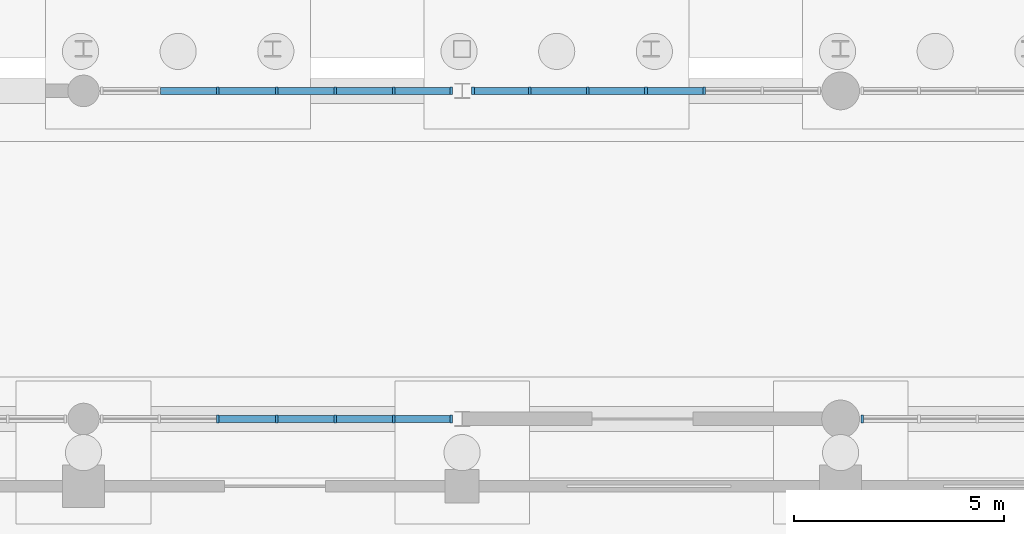
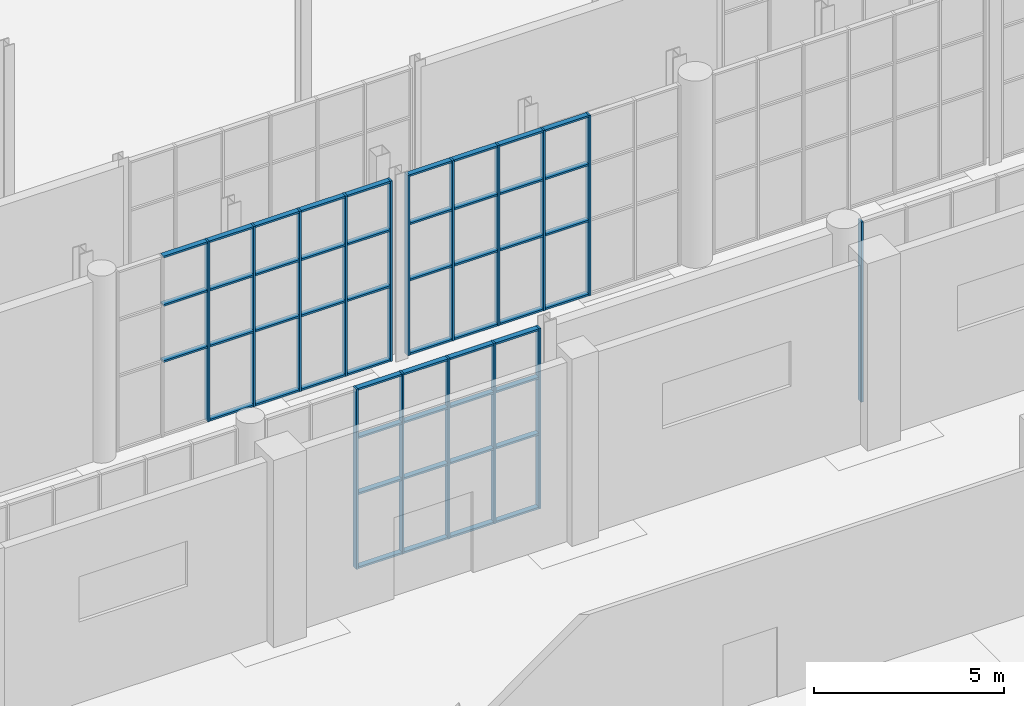
# One storey, part 48 of 131: 67 members, 4 elements without a shape of their own.
"""IFC4 building model written with IfcOpenShell, lengths in metres."""

from ifc_helpers import new_model, si_unit, direction, frame, origin, origin_2d, place, context, subcontext, project, spatial, rectangle, extrude, material, layer, layer_set, material_profile, profile_set, type_object, element, aggregate, save


model = new_model("IFC4")

# Units and contexts
model_context = context("Model", 3, precision=1e-05, world=origin(), true_north=direction((0.0, 1.0)))
body_context = subcontext(model_context, "Body", "Model", "MODEL_VIEW")
ifc_project = project(units=[si_unit("LENGTHUNIT", "METRE"), si_unit("AREAUNIT", "SQUARE_METRE"), si_unit("VOLUMEUNIT", "CUBIC_METRE"), si_unit("PLANEANGLEUNIT", "RADIAN"), si_unit("MASSUNIT", "GRAM", prefix="KILO")], contexts=[model_context])

# Site, building, storey
site_placement = place(None, origin())
site = spatial("IfcSite", under=ifc_project, at=site_placement, CompositionType="ELEMENT")
building_placement = place(site_placement, origin())
building = spatial("IfcBuilding", under=site, at=building_placement, Name="Cazmaro Siding Exhibition Halls", CompositionType="ELEMENT")
storey_placement = place(building_placement, origin())
storey = spatial("IfcBuildingStorey", under=building, at=storey_placement, Name="L00", CompositionType="ELEMENT", Elevation=0.0)

# Curtain wall, members
ifc_material_1 = material(Name="Anodized Bronze Aluminum and Solar-Control Low-E Glazing", Category="aluminium")
ifc_layer = layer(ifc_material_1, 0.179931640625)
ifc_layer_set = layer_set([ifc_layer], Name="Anodized Bronze Aluminum and Solar-Control Low-E Glazing")
curtain_wall_type = type_object("IfcCurtainWallType", Name="CWS-01", PredefinedType="USERDEFINED", material=ifc_layer_set)
curtain_wall_1_placement = place(storey_placement, origin())
curtain_wall_1 = element("IfcCurtainWall", 1, at=curtain_wall_1_placement, inside=storey, type_object=curtain_wall_type, Name="Glazed Curtain Wall CWS-01 CW-179", ObjectType="GLAZED CURTAIN WALL", PredefinedType="USERDEFINED")
ifc_material_2 = material(Name="Anodized Bronze Extruded Aluminum", Category="aluminium")
ifc_material_profile_1 = material_profile(ifc_material_2, rectangle(XDim=0.179931640625, YDim=0.06005859375, at=origin_2d()), Name="CWM-01")
ifc_profile_set_1 = profile_set([ifc_material_profile_1], Name="Anodized Bronze Extruded Aluminum")
member_type_1 = type_object("IfcMemberType", Name="CWM-01", PredefinedType="MULLION", material=ifc_profile_set_1)
member_1_placement = place(storey_placement, frame((111.1953125, 55.199951171875, 0.0), z_axis=(0.0, 0.0, 1.0), x_axis=(0.0, 1.0, 0.0)))
member_1 = element("IfcMember", 2, at=member_1_placement, type_object=member_type_1, Name="CWS-01 mullion 3", PredefinedType="MULLION", context=body_context, shape_type="SweptSolid", body=[
    extrude(rectangle(XDim=0.179931640625, YDim=0.06005859375, at=origin_2d()), origin(), (0.0, 0.0, 1.0), 5.780029296875),
])
member_2_placement = place(storey_placement, frame((112.589111328125, 55.199951171875, 0.0), z_axis=(0.0, 0.0, 1.0), x_axis=(0.0, 1.0, 0.0)))
member_2 = element("IfcMember", 3, at=member_2_placement, type_object=member_type_1, Name="CWS-01 mullion 4", PredefinedType="MULLION", context=body_context, shape_type="SweptSolid", body=[
    extrude(rectangle(XDim=0.179931640625, YDim=0.06005859375, at=origin_2d()), origin(), (0.0, 0.0, 1.0), 5.780029296875),
])
member_3_placement = place(storey_placement, frame((113.982666015625, 55.199951171875, 0.0), z_axis=(0.0, 0.0, 1.0), x_axis=(0.0, 1.0, 0.0)))
member_3 = element("IfcMember", 4, at=member_3_placement, type_object=member_type_1, Name="CWS-01 mullion 5", PredefinedType="MULLION", context=body_context, shape_type="SweptSolid", body=[
    extrude(rectangle(XDim=0.179931640625, YDim=0.06005859375, at=origin_2d()), origin(), (0.0, 0.0, 1.0), 5.780029296875),
])
member_4_placement = place(storey_placement, frame((115.376220703125, 55.199951171875, 0.0), z_axis=(0.0, 0.0, 1.0), x_axis=(0.0, 1.0, 0.0)))
member_4 = element("IfcMember", 5, at=member_4_placement, type_object=member_type_1, Name="CWS-01 mullion 6", PredefinedType="MULLION", context=body_context, shape_type="SweptSolid", body=[
    extrude(rectangle(XDim=0.179931640625, YDim=0.06005859375, at=origin_2d()), origin(), (0.0, 0.0, 1.0), 5.780029296875),
])
member_5_placement = place(storey_placement, frame((116.739990234375, 55.199951171875, 0.0), z_axis=(0.0, 0.0, 1.0), x_axis=(0.0, 1.0, 0.0)))
member_5 = element("IfcMember", 6, at=member_5_placement, type_object=member_type_1, Name="CWS-01 mullion 7", PredefinedType="MULLION", context=body_context, shape_type="SweptSolid", body=[
    extrude(rectangle(XDim=0.179931640625, YDim=0.06005859375, at=origin_2d()), origin(), (0.0, 0.0, 1.0), 5.780029296875),
])

curtain_wall_2_placement = place(storey_placement, origin())
curtain_wall_2 = element("IfcCurtainWall", 7, at=curtain_wall_2_placement, inside=storey, type_object=curtain_wall_type, Name="Glazed Curtain Wall CWS-01 CW-180", ObjectType="GLAZED CURTAIN WALL", PredefinedType="USERDEFINED")
member_6_placement = place(storey_placement, frame((116.739990234375, 63.0, 0.0), z_axis=(0.0, 0.0, 1.0), x_axis=(0.0, -1.0, 0.0)))
member_6 = element("IfcMember", 8, at=member_6_placement, type_object=member_type_1, Name="CWS-01 mullion 1", PredefinedType="MULLION", context=body_context, shape_type="SweptSolid", body=[
    extrude(rectangle(XDim=0.179931640625, YDim=0.06005859375, at=origin_2d()), origin(), (0.0, 0.0, 1.0), 5.780029296875),
])
member_7_placement = place(storey_placement, frame((115.376220703125, 63.0, 0.0), z_axis=(0.0, 0.0, 1.0), x_axis=(0.0, -1.0, 0.0)))
member_7 = element("IfcMember", 9, at=member_7_placement, type_object=member_type_1, Name="CWS-01 mullion 2", PredefinedType="MULLION", context=body_context, shape_type="SweptSolid", body=[
    extrude(rectangle(XDim=0.179931640625, YDim=0.06005859375, at=origin_2d()), origin(), (0.0, 0.0, 1.0), 5.780029296875),
])
member_8_placement = place(storey_placement, frame((113.982666015625, 63.0, 0.0), z_axis=(0.0, 0.0, 1.0), x_axis=(0.0, -1.0, 0.0)))
member_8 = element("IfcMember", 10, at=member_8_placement, type_object=member_type_1, Name="CWS-01 mullion 3", PredefinedType="MULLION", context=body_context, shape_type="SweptSolid", body=[
    extrude(rectangle(XDim=0.179931640625, YDim=0.06005859375, at=origin_2d()), origin(), (0.0, 0.0, 1.0), 5.780029296875),
])
member_9_placement = place(storey_placement, frame((112.589111328125, 63.0, 0.0), z_axis=(0.0, 0.0, 1.0), x_axis=(0.0, -1.0, 0.0)))
member_9 = element("IfcMember", 11, at=member_9_placement, type_object=member_type_1, Name="CWS-01 mullion 4", PredefinedType="MULLION", context=body_context, shape_type="SweptSolid", body=[
    extrude(rectangle(XDim=0.179931640625, YDim=0.06005859375, at=origin_2d()), origin(), (0.0, 0.0, 1.0), 5.780029296875),
])
member_10_placement = place(storey_placement, frame((111.1953125, 63.0, 0.0), z_axis=(0.0, 0.0, 1.0), x_axis=(0.0, -1.0, 0.0)))
member_10 = element("IfcMember", 12, at=member_10_placement, type_object=member_type_1, Name="CWS-01 mullion 5", PredefinedType="MULLION", context=body_context, shape_type="SweptSolid", body=[
    extrude(rectangle(XDim=0.179931640625, YDim=0.06005859375, at=origin_2d()), origin(), (0.0, 0.0, 1.0), 5.780029296875),
])

curtain_wall_3_placement = place(storey_placement, origin())
curtain_wall_3 = element("IfcCurtainWall", 13, at=curtain_wall_3_placement, inside=storey, type_object=curtain_wall_type, Name="Glazed Curtain Wall CWS-01 CW-185", ObjectType="GLAZED CURTAIN WALL", PredefinedType="USERDEFINED")
member_11_placement = place(storey_placement, frame((122.754638671875, 63.0, 0.0), z_axis=(0.0, 0.0, 1.0), x_axis=(0.0, -1.0, 0.0)))
member_11 = element("IfcMember", 14, at=member_11_placement, type_object=member_type_1, Name="CWS-01 mullion 3", PredefinedType="MULLION", context=body_context, shape_type="SweptSolid", body=[
    extrude(rectangle(XDim=0.179931640625, YDim=0.06005859375, at=origin_2d()), origin(), (0.0, 0.0, 1.0), 5.780029296875),
])
member_12_placement = place(storey_placement, frame((121.37353515625, 63.0, 0.0), z_axis=(0.0, 0.0, 1.0), x_axis=(0.0, -1.0, 0.0)))
member_12 = element("IfcMember", 15, at=member_12_placement, type_object=member_type_1, Name="CWS-01 mullion 4", PredefinedType="MULLION", context=body_context, shape_type="SweptSolid", body=[
    extrude(rectangle(XDim=0.179931640625, YDim=0.06005859375, at=origin_2d()), origin(), (0.0, 0.0, 1.0), 5.780029296875),
])
member_13_placement = place(storey_placement, frame((119.992431640625, 63.0, 0.0), z_axis=(0.0, 0.0, 1.0), x_axis=(0.0, -1.0, 0.0)))
member_13 = element("IfcMember", 16, at=member_13_placement, type_object=member_type_1, Name="CWS-01 mullion 5", PredefinedType="MULLION", context=body_context, shape_type="SweptSolid", body=[
    extrude(rectangle(XDim=0.179931640625, YDim=0.06005859375, at=origin_2d()), origin(), (0.0, 0.0, 1.0), 5.780029296875),
])
member_14_placement = place(storey_placement, frame((118.611083984375, 63.0, 0.0), z_axis=(0.0, 0.0, 1.0), x_axis=(0.0, -1.0, 0.0)))
member_14 = element("IfcMember", 17, at=member_14_placement, type_object=member_type_1, Name="CWS-01 mullion 6", PredefinedType="MULLION", context=body_context, shape_type="SweptSolid", body=[
    extrude(rectangle(XDim=0.179931640625, YDim=0.06005859375, at=origin_2d()), origin(), (0.0, 0.0, 1.0), 5.780029296875),
])
member_15_placement = place(storey_placement, frame((117.260009765625, 63.0, 0.0), z_axis=(0.0, 0.0, 1.0), x_axis=(0.0, -1.0, 0.0)))
member_15 = element("IfcMember", 18, at=member_15_placement, type_object=member_type_1, Name="CWS-01 mullion 7", PredefinedType="MULLION", context=body_context, shape_type="SweptSolid", body=[
    extrude(rectangle(XDim=0.179931640625, YDim=0.06005859375, at=origin_2d()), origin(), (0.0, 0.0, 1.0), 5.780029296875),
])

# Curtain wall, member
curtain_wall_4_placement = place(storey_placement, origin())
curtain_wall_4 = element("IfcCurtainWall", 19, at=curtain_wall_4_placement, inside=storey, type_object=curtain_wall_type, Name="Glazed Curtain Wall CWS-01 CW-190", ObjectType="GLAZED CURTAIN WALL", PredefinedType="USERDEFINED")
member_16_placement = place(storey_placement, frame((126.512939453125, 55.199951171875, 0.0), z_axis=(0.0, 0.0, 1.0), x_axis=(0.0, 1.0, 0.0)))
member_16 = element("IfcMember", 20, at=member_16_placement, type_object=member_type_1, Name="CWS-01 mullion 1", PredefinedType="MULLION", context=body_context, shape_type="SweptSolid", body=[
    extrude(rectangle(XDim=0.179931640625, YDim=0.06005859375, at=origin_2d()), origin(), (0.0, 0.0, 1.0), 5.780029296875),
])
aggregate(curtain_wall_4, [member_16])

# Member
ifc_material_3 = material(Name="Anodized Bronze Extruded Aluminum", Category="aluminium")
ifc_material_profile_2 = material_profile(ifc_material_3, rectangle(XDim=0.159912109375, YDim=0.06005859375, at=origin_2d()), Name="CWT-01")
ifc_profile_set_2 = profile_set([ifc_material_profile_2], Name="Anodized Bronze Extruded Aluminum")
member_type_2 = type_object("IfcMemberType", Name="CWT-01", PredefinedType="MULLION", material=ifc_profile_set_2)
member_17_placement = place(storey_placement, frame((111.225341796875, 55.199951171875, 0.030029296875), z_axis=(1.0, 0.0, 0.0), x_axis=(0.0, 1.0, 0.0)))
member_17 = element("IfcMember", 21, at=member_17_placement, type_object=member_type_2, Name="CWS-01 transom 3.1", ObjectType="TRANSOM", PredefinedType="USERDEFINED", context=body_context, shape_type="SweptSolid", body=[
    extrude(rectangle(XDim=0.159912109375, YDim=0.06005859375, at=origin_2d()), origin(), (0.0, 0.0, 1.0), 1.333740234375),
])

member_18_placement = place(storey_placement, frame((111.225341796875, 55.199951171875, 2.39990234375), z_axis=(1.0, 0.0, 0.0), x_axis=(0.0, 1.0, 0.0)))
member_18 = element("IfcMember", 22, at=member_18_placement, type_object=member_type_2, Name="CWS-01 transom 3.2", ObjectType="TRANSOM", PredefinedType="USERDEFINED", context=body_context, shape_type="SweptSolid", body=[
    extrude(rectangle(XDim=0.159912109375, YDim=0.06005859375, at=origin_2d()), origin(), (0.0, 0.0, 1.0), 1.333740234375),
])

member_19_placement = place(storey_placement, frame((111.225341796875, 55.199951171875, 4.199951171875), z_axis=(1.0, 0.0, 0.0), x_axis=(0.0, 1.0, 0.0)))
member_19 = element("IfcMember", 23, at=member_19_placement, type_object=member_type_2, Name="CWS-01 transom 3.3", ObjectType="TRANSOM", PredefinedType="USERDEFINED", context=body_context, shape_type="SweptSolid", body=[
    extrude(rectangle(XDim=0.159912109375, YDim=0.06005859375, at=origin_2d()), origin(), (0.0, 0.0, 1.0), 1.333740234375),
])

member_20_placement = place(storey_placement, frame((111.225341796875, 55.199951171875, 5.75), z_axis=(1.0, 0.0, 0.0), x_axis=(0.0, 1.0, 0.0)))
member_20 = element("IfcMember", 24, at=member_20_placement, type_object=member_type_2, Name="CWS-01 transom 3.4", ObjectType="TRANSOM", PredefinedType="USERDEFINED", context=body_context, shape_type="SweptSolid", body=[
    extrude(rectangle(XDim=0.159912109375, YDim=0.06005859375, at=origin_2d()), origin(), (0.0, 0.0, 1.0), 1.333740234375),
])

member_21_placement = place(storey_placement, frame((112.618896484375, 55.199951171875, 0.030029296875), z_axis=(1.0, 0.0, 0.0), x_axis=(0.0, 1.0, 0.0)))
member_21 = element("IfcMember", 25, at=member_21_placement, type_object=member_type_2, Name="CWS-01 transom 4.1", ObjectType="TRANSOM", PredefinedType="USERDEFINED", context=body_context, shape_type="SweptSolid", body=[
    extrude(rectangle(XDim=0.159912109375, YDim=0.06005859375, at=origin_2d()), origin(), (0.0, 0.0, 1.0), 1.333740234375),
])

member_22_placement = place(storey_placement, frame((112.618896484375, 55.199951171875, 2.39990234375), z_axis=(1.0, 0.0, 0.0), x_axis=(0.0, 1.0, 0.0)))
member_22 = element("IfcMember", 26, at=member_22_placement, type_object=member_type_2, Name="CWS-01 transom 4.2", ObjectType="TRANSOM", PredefinedType="USERDEFINED", context=body_context, shape_type="SweptSolid", body=[
    extrude(rectangle(XDim=0.159912109375, YDim=0.06005859375, at=origin_2d()), origin(), (0.0, 0.0, 1.0), 1.333740234375),
])

member_23_placement = place(storey_placement, frame((112.618896484375, 55.199951171875, 4.199951171875), z_axis=(1.0, 0.0, 0.0), x_axis=(0.0, 1.0, 0.0)))
member_23 = element("IfcMember", 27, at=member_23_placement, type_object=member_type_2, Name="CWS-01 transom 4.3", ObjectType="TRANSOM", PredefinedType="USERDEFINED", context=body_context, shape_type="SweptSolid", body=[
    extrude(rectangle(XDim=0.159912109375, YDim=0.06005859375, at=origin_2d()), origin(), (0.0, 0.0, 1.0), 1.333740234375),
])

member_24_placement = place(storey_placement, frame((112.618896484375, 55.199951171875, 5.75), z_axis=(1.0, 0.0, 0.0), x_axis=(0.0, 1.0, 0.0)))
member_24 = element("IfcMember", 28, at=member_24_placement, type_object=member_type_2, Name="CWS-01 transom 4.4", ObjectType="TRANSOM", PredefinedType="USERDEFINED", context=body_context, shape_type="SweptSolid", body=[
    extrude(rectangle(XDim=0.159912109375, YDim=0.06005859375, at=origin_2d()), origin(), (0.0, 0.0, 1.0), 1.333740234375),
])

member_25_placement = place(storey_placement, frame((114.0126953125, 55.199951171875, 0.030029296875), z_axis=(1.0, 0.0, 0.0), x_axis=(0.0, 1.0, 0.0)))
member_25 = element("IfcMember", 29, at=member_25_placement, type_object=member_type_2, Name="CWS-01 transom 5.1", ObjectType="TRANSOM", PredefinedType="USERDEFINED", context=body_context, shape_type="SweptSolid", body=[
    extrude(rectangle(XDim=0.159912109375, YDim=0.06005859375, at=origin_2d()), origin(), (0.0, 0.0, 1.0), 1.333740234375),
])

member_26_placement = place(storey_placement, frame((114.0126953125, 55.199951171875, 2.39990234375), z_axis=(1.0, 0.0, 0.0), x_axis=(0.0, 1.0, 0.0)))
member_26 = element("IfcMember", 30, at=member_26_placement, type_object=member_type_2, Name="CWS-01 transom 5.2", ObjectType="TRANSOM", PredefinedType="USERDEFINED", context=body_context, shape_type="SweptSolid", body=[
    extrude(rectangle(XDim=0.159912109375, YDim=0.06005859375, at=origin_2d()), origin(), (0.0, 0.0, 1.0), 1.333740234375),
])

member_27_placement = place(storey_placement, frame((114.0126953125, 55.199951171875, 4.199951171875), z_axis=(1.0, 0.0, 0.0), x_axis=(0.0, 1.0, 0.0)))
member_27 = element("IfcMember", 31, at=member_27_placement, type_object=member_type_2, Name="CWS-01 transom 5.3", ObjectType="TRANSOM", PredefinedType="USERDEFINED", context=body_context, shape_type="SweptSolid", body=[
    extrude(rectangle(XDim=0.159912109375, YDim=0.06005859375, at=origin_2d()), origin(), (0.0, 0.0, 1.0), 1.333740234375),
])

member_28_placement = place(storey_placement, frame((114.0126953125, 55.199951171875, 5.75), z_axis=(1.0, 0.0, 0.0), x_axis=(0.0, 1.0, 0.0)))
member_28 = element("IfcMember", 32, at=member_28_placement, type_object=member_type_2, Name="CWS-01 transom 5.4", ObjectType="TRANSOM", PredefinedType="USERDEFINED", context=body_context, shape_type="SweptSolid", body=[
    extrude(rectangle(XDim=0.159912109375, YDim=0.06005859375, at=origin_2d()), origin(), (0.0, 0.0, 1.0), 1.333740234375),
])

member_29_placement = place(storey_placement, frame((115.40625, 55.199951171875, 0.030029296875), z_axis=(1.0, 0.0, 0.0), x_axis=(0.0, 1.0, 0.0)))
member_29 = element("IfcMember", 33, at=member_29_placement, type_object=member_type_2, Name="CWS-01 transom 6.1", ObjectType="TRANSOM", PredefinedType="USERDEFINED", context=body_context, shape_type="SweptSolid", body=[
    extrude(rectangle(XDim=0.159912109375, YDim=0.06005859375, at=origin_2d()), origin(), (0.0, 0.0, 1.0), 1.3037109375),
])

member_30_placement = place(storey_placement, frame((115.40625, 55.199951171875, 2.39990234375), z_axis=(1.0, 0.0, 0.0), x_axis=(0.0, 1.0, 0.0)))
member_30 = element("IfcMember", 34, at=member_30_placement, type_object=member_type_2, Name="CWS-01 transom 6.2", ObjectType="TRANSOM", PredefinedType="USERDEFINED", context=body_context, shape_type="SweptSolid", body=[
    extrude(rectangle(XDim=0.159912109375, YDim=0.06005859375, at=origin_2d()), origin(), (0.0, 0.0, 1.0), 1.3037109375),
])

member_31_placement = place(storey_placement, frame((115.40625, 55.199951171875, 4.199951171875), z_axis=(1.0, 0.0, 0.0), x_axis=(0.0, 1.0, 0.0)))
member_31 = element("IfcMember", 35, at=member_31_placement, type_object=member_type_2, Name="CWS-01 transom 6.3", ObjectType="TRANSOM", PredefinedType="USERDEFINED", context=body_context, shape_type="SweptSolid", body=[
    extrude(rectangle(XDim=0.159912109375, YDim=0.06005859375, at=origin_2d()), origin(), (0.0, 0.0, 1.0), 1.3037109375),
])

member_32_placement = place(storey_placement, frame((115.40625, 55.199951171875, 5.75), z_axis=(1.0, 0.0, 0.0), x_axis=(0.0, 1.0, 0.0)))
member_32 = element("IfcMember", 36, at=member_32_placement, type_object=member_type_2, Name="CWS-01 transom 6.4", ObjectType="TRANSOM", PredefinedType="USERDEFINED", context=body_context, shape_type="SweptSolid", body=[
    extrude(rectangle(XDim=0.159912109375, YDim=0.06005859375, at=origin_2d()), origin(), (0.0, 0.0, 1.0), 1.3037109375),
])

aggregate(curtain_wall_1, [member_1, member_2, member_3, member_4, member_5, member_17, member_18, member_19, member_20, member_21, member_22, member_23, member_24, member_25, member_26, member_27, member_28, member_29, member_30, member_31, member_32])

member_33_placement = place(storey_placement, frame((116.7099609375, 63.0, 0.030029296875), z_axis=(-1.0, 0.0, 0.0), x_axis=(0.0, -1.0, 0.0)))
member_33 = element("IfcMember", 37, at=member_33_placement, type_object=member_type_2, Name="CWS-01 transom 1.1", ObjectType="TRANSOM", PredefinedType="USERDEFINED", context=body_context, shape_type="SweptSolid", body=[
    extrude(rectangle(XDim=0.159912109375, YDim=0.06005859375, at=origin_2d()), origin(), (0.0, 0.0, 1.0), 1.3037109375),
])

member_34_placement = place(storey_placement, frame((116.7099609375, 63.0, 2.39990234375), z_axis=(-1.0, 0.0, 0.0), x_axis=(0.0, -1.0, 0.0)))
member_34 = element("IfcMember", 38, at=member_34_placement, type_object=member_type_2, Name="CWS-01 transom 1.2", ObjectType="TRANSOM", PredefinedType="USERDEFINED", context=body_context, shape_type="SweptSolid", body=[
    extrude(rectangle(XDim=0.159912109375, YDim=0.06005859375, at=origin_2d()), origin(), (0.0, 0.0, 1.0), 1.3037109375),
])

member_35_placement = place(storey_placement, frame((116.7099609375, 63.0, 4.199951171875), z_axis=(-1.0, 0.0, 0.0), x_axis=(0.0, -1.0, 0.0)))
member_35 = element("IfcMember", 39, at=member_35_placement, type_object=member_type_2, Name="CWS-01 transom 1.3", ObjectType="TRANSOM", PredefinedType="USERDEFINED", context=body_context, shape_type="SweptSolid", body=[
    extrude(rectangle(XDim=0.159912109375, YDim=0.06005859375, at=origin_2d()), origin(), (0.0, 0.0, 1.0), 1.3037109375),
])

member_36_placement = place(storey_placement, frame((116.7099609375, 63.0, 5.75), z_axis=(-1.0, 0.0, 0.0), x_axis=(0.0, -1.0, 0.0)))
member_36 = element("IfcMember", 40, at=member_36_placement, type_object=member_type_2, Name="CWS-01 transom 1.4", ObjectType="TRANSOM", PredefinedType="USERDEFINED", context=body_context, shape_type="SweptSolid", body=[
    extrude(rectangle(XDim=0.159912109375, YDim=0.06005859375, at=origin_2d()), origin(), (0.0, 0.0, 1.0), 1.3037109375),
])

member_37_placement = place(storey_placement, frame((115.346435546875, 63.0, 0.030029296875), z_axis=(-1.0, 0.0, 0.0), x_axis=(0.0, -1.0, 0.0)))
member_37 = element("IfcMember", 41, at=member_37_placement, type_object=member_type_2, Name="CWS-01 transom 2.1", ObjectType="TRANSOM", PredefinedType="USERDEFINED", context=body_context, shape_type="SweptSolid", body=[
    extrude(rectangle(XDim=0.159912109375, YDim=0.06005859375, at=origin_2d()), origin(), (0.0, 0.0, 1.0), 1.333740234375),
])

member_38_placement = place(storey_placement, frame((115.346435546875, 63.0, 2.39990234375), z_axis=(-1.0, 0.0, 0.0), x_axis=(0.0, -1.0, 0.0)))
member_38 = element("IfcMember", 42, at=member_38_placement, type_object=member_type_2, Name="CWS-01 transom 2.2", ObjectType="TRANSOM", PredefinedType="USERDEFINED", context=body_context, shape_type="SweptSolid", body=[
    extrude(rectangle(XDim=0.159912109375, YDim=0.06005859375, at=origin_2d()), origin(), (0.0, 0.0, 1.0), 1.333740234375),
])

member_39_placement = place(storey_placement, frame((115.346435546875, 63.0, 4.199951171875), z_axis=(-1.0, 0.0, 0.0), x_axis=(0.0, -1.0, 0.0)))
member_39 = element("IfcMember", 43, at=member_39_placement, type_object=member_type_2, Name="CWS-01 transom 2.3", ObjectType="TRANSOM", PredefinedType="USERDEFINED", context=body_context, shape_type="SweptSolid", body=[
    extrude(rectangle(XDim=0.159912109375, YDim=0.06005859375, at=origin_2d()), origin(), (0.0, 0.0, 1.0), 1.333740234375),
])

member_40_placement = place(storey_placement, frame((115.346435546875, 63.0, 5.75), z_axis=(-1.0, 0.0, 0.0), x_axis=(0.0, -1.0, 0.0)))
member_40 = element("IfcMember", 44, at=member_40_placement, type_object=member_type_2, Name="CWS-01 transom 2.4", ObjectType="TRANSOM", PredefinedType="USERDEFINED", context=body_context, shape_type="SweptSolid", body=[
    extrude(rectangle(XDim=0.159912109375, YDim=0.06005859375, at=origin_2d()), origin(), (0.0, 0.0, 1.0), 1.333740234375),
])

member_41_placement = place(storey_placement, frame((113.95263671875, 63.0, 0.030029296875), z_axis=(-1.0, 0.0, 0.0), x_axis=(0.0, -1.0, 0.0)))
member_41 = element("IfcMember", 45, at=member_41_placement, type_object=member_type_2, Name="CWS-01 transom 3.1", ObjectType="TRANSOM", PredefinedType="USERDEFINED", context=body_context, shape_type="SweptSolid", body=[
    extrude(rectangle(XDim=0.159912109375, YDim=0.06005859375, at=origin_2d()), origin(), (0.0, 0.0, 1.0), 1.333740234375),
])

member_42_placement = place(storey_placement, frame((113.95263671875, 63.0, 2.39990234375), z_axis=(-1.0, 0.0, 0.0), x_axis=(0.0, -1.0, 0.0)))
member_42 = element("IfcMember", 46, at=member_42_placement, type_object=member_type_2, Name="CWS-01 transom 3.2", ObjectType="TRANSOM", PredefinedType="USERDEFINED", context=body_context, shape_type="SweptSolid", body=[
    extrude(rectangle(XDim=0.159912109375, YDim=0.06005859375, at=origin_2d()), origin(), (0.0, 0.0, 1.0), 1.333740234375),
])

member_43_placement = place(storey_placement, frame((113.95263671875, 63.0, 4.199951171875), z_axis=(-1.0, 0.0, 0.0), x_axis=(0.0, -1.0, 0.0)))
member_43 = element("IfcMember", 47, at=member_43_placement, type_object=member_type_2, Name="CWS-01 transom 3.3", ObjectType="TRANSOM", PredefinedType="USERDEFINED", context=body_context, shape_type="SweptSolid", body=[
    extrude(rectangle(XDim=0.159912109375, YDim=0.06005859375, at=origin_2d()), origin(), (0.0, 0.0, 1.0), 1.333740234375),
])

member_44_placement = place(storey_placement, frame((113.95263671875, 63.0, 5.75), z_axis=(-1.0, 0.0, 0.0), x_axis=(0.0, -1.0, 0.0)))
member_44 = element("IfcMember", 48, at=member_44_placement, type_object=member_type_2, Name="CWS-01 transom 3.4", ObjectType="TRANSOM", PredefinedType="USERDEFINED", context=body_context, shape_type="SweptSolid", body=[
    extrude(rectangle(XDim=0.159912109375, YDim=0.06005859375, at=origin_2d()), origin(), (0.0, 0.0, 1.0), 1.333740234375),
])

member_45_placement = place(storey_placement, frame((112.55908203125, 63.0, 0.030029296875), z_axis=(-1.0, 0.0, 0.0), x_axis=(0.0, -1.0, 0.0)))
member_45 = element("IfcMember", 49, at=member_45_placement, type_object=member_type_2, Name="CWS-01 transom 4.1", ObjectType="TRANSOM", PredefinedType="USERDEFINED", context=body_context, shape_type="SweptSolid", body=[
    extrude(rectangle(XDim=0.159912109375, YDim=0.06005859375, at=origin_2d()), origin(), (0.0, 0.0, 1.0), 1.333740234375),
])

member_46_placement = place(storey_placement, frame((112.55908203125, 63.0, 2.39990234375), z_axis=(-1.0, 0.0, 0.0), x_axis=(0.0, -1.0, 0.0)))
member_46 = element("IfcMember", 50, at=member_46_placement, type_object=member_type_2, Name="CWS-01 transom 4.2", ObjectType="TRANSOM", PredefinedType="USERDEFINED", context=body_context, shape_type="SweptSolid", body=[
    extrude(rectangle(XDim=0.159912109375, YDim=0.06005859375, at=origin_2d()), origin(), (0.0, 0.0, 1.0), 1.333740234375),
])

member_47_placement = place(storey_placement, frame((112.55908203125, 63.0, 4.199951171875), z_axis=(-1.0, 0.0, 0.0), x_axis=(0.0, -1.0, 0.0)))
member_47 = element("IfcMember", 51, at=member_47_placement, type_object=member_type_2, Name="CWS-01 transom 4.3", ObjectType="TRANSOM", PredefinedType="USERDEFINED", context=body_context, shape_type="SweptSolid", body=[
    extrude(rectangle(XDim=0.159912109375, YDim=0.06005859375, at=origin_2d()), origin(), (0.0, 0.0, 1.0), 1.333740234375),
])

member_48_placement = place(storey_placement, frame((112.55908203125, 63.0, 5.75), z_axis=(-1.0, 0.0, 0.0), x_axis=(0.0, -1.0, 0.0)))
member_48 = element("IfcMember", 52, at=member_48_placement, type_object=member_type_2, Name="CWS-01 transom 4.4", ObjectType="TRANSOM", PredefinedType="USERDEFINED", context=body_context, shape_type="SweptSolid", body=[
    extrude(rectangle(XDim=0.159912109375, YDim=0.06005859375, at=origin_2d()), origin(), (0.0, 0.0, 1.0), 1.333740234375),
])

member_49_placement = place(storey_placement, frame((111.165283203125, 63.0, 2.39990234375), z_axis=(-1.0, 0.0, 0.0), x_axis=(0.0, -1.0, 0.0)))
member_49 = element("IfcMember", 53, at=member_49_placement, type_object=member_type_2, Name="CWS-01 transom 5.2", ObjectType="TRANSOM", PredefinedType="USERDEFINED", context=body_context, shape_type="SweptSolid", body=[
    extrude(rectangle(XDim=0.159912109375, YDim=0.06005859375, at=origin_2d()), origin(), (0.0, 0.0, 1.0), 1.33349609375),
])

member_50_placement = place(storey_placement, frame((111.165283203125, 63.0, 4.199951171875), z_axis=(-1.0, 0.0, 0.0), x_axis=(0.0, -1.0, 0.0)))
member_50 = element("IfcMember", 54, at=member_50_placement, type_object=member_type_2, Name="CWS-01 transom 5.3", ObjectType="TRANSOM", PredefinedType="USERDEFINED", context=body_context, shape_type="SweptSolid", body=[
    extrude(rectangle(XDim=0.159912109375, YDim=0.06005859375, at=origin_2d()), origin(), (0.0, 0.0, 1.0), 1.33349609375),
])

member_51_placement = place(storey_placement, frame((111.165283203125, 63.0, 5.75), z_axis=(-1.0, 0.0, 0.0), x_axis=(0.0, -1.0, 0.0)))
member_51 = element("IfcMember", 55, at=member_51_placement, type_object=member_type_2, Name="CWS-01 transom 5.4", ObjectType="TRANSOM", PredefinedType="USERDEFINED", context=body_context, shape_type="SweptSolid", body=[
    extrude(rectangle(XDim=0.159912109375, YDim=0.06005859375, at=origin_2d()), origin(), (0.0, 0.0, 1.0), 1.33349609375),
])

aggregate(curtain_wall_2, [member_6, member_7, member_8, member_9, member_10, member_33, member_34, member_35, member_36, member_37, member_38, member_39, member_40, member_41, member_42, member_43, member_44, member_45, member_46, member_47, member_48, member_49, member_50, member_51])

member_52_placement = place(storey_placement, frame((122.724609375, 63.0, 0.030029296875), z_axis=(-1.0, 0.0, 0.0), x_axis=(0.0, -1.0, 0.0)))
member_52 = element("IfcMember", 56, at=member_52_placement, type_object=member_type_2, Name="CWS-01 transom 3.1", ObjectType="TRANSOM", PredefinedType="USERDEFINED", context=body_context, shape_type="SweptSolid", body=[
    extrude(rectangle(XDim=0.159912109375, YDim=0.06005859375, at=origin_2d()), origin(), (0.0, 0.0, 1.0), 1.321044921875),
])

member_53_placement = place(storey_placement, frame((122.724609375, 63.0, 2.39990234375), z_axis=(-1.0, 0.0, 0.0), x_axis=(0.0, -1.0, 0.0)))
member_53 = element("IfcMember", 57, at=member_53_placement, type_object=member_type_2, Name="CWS-01 transom 3.2", ObjectType="TRANSOM", PredefinedType="USERDEFINED", context=body_context, shape_type="SweptSolid", body=[
    extrude(rectangle(XDim=0.159912109375, YDim=0.06005859375, at=origin_2d()), origin(), (0.0, 0.0, 1.0), 1.321044921875),
])

member_54_placement = place(storey_placement, frame((122.724609375, 63.0, 4.199951171875), z_axis=(-1.0, 0.0, 0.0), x_axis=(0.0, -1.0, 0.0)))
member_54 = element("IfcMember", 58, at=member_54_placement, type_object=member_type_2, Name="CWS-01 transom 3.3", ObjectType="TRANSOM", PredefinedType="USERDEFINED", context=body_context, shape_type="SweptSolid", body=[
    extrude(rectangle(XDim=0.159912109375, YDim=0.06005859375, at=origin_2d()), origin(), (0.0, 0.0, 1.0), 1.321044921875),
])

member_55_placement = place(storey_placement, frame((122.724609375, 63.0, 5.75), z_axis=(-1.0, 0.0, 0.0), x_axis=(0.0, -1.0, 0.0)))
member_55 = element("IfcMember", 59, at=member_55_placement, type_object=member_type_2, Name="CWS-01 transom 3.4", ObjectType="TRANSOM", PredefinedType="USERDEFINED", context=body_context, shape_type="SweptSolid", body=[
    extrude(rectangle(XDim=0.159912109375, YDim=0.06005859375, at=origin_2d()), origin(), (0.0, 0.0, 1.0), 1.321044921875),
])

member_56_placement = place(storey_placement, frame((121.343505859375, 63.0, 0.030029296875), z_axis=(-1.0, 0.0, 0.0), x_axis=(0.0, -1.0, 0.0)))
member_56 = element("IfcMember", 60, at=member_56_placement, type_object=member_type_2, Name="CWS-01 transom 4.1", ObjectType="TRANSOM", PredefinedType="USERDEFINED", context=body_context, shape_type="SweptSolid", body=[
    extrude(rectangle(XDim=0.159912109375, YDim=0.06005859375, at=origin_2d()), origin(), (0.0, 0.0, 1.0), 1.3212890625),
])

member_57_placement = place(storey_placement, frame((121.343505859375, 63.0, 2.39990234375), z_axis=(-1.0, 0.0, 0.0), x_axis=(0.0, -1.0, 0.0)))
member_57 = element("IfcMember", 61, at=member_57_placement, type_object=member_type_2, Name="CWS-01 transom 4.2", ObjectType="TRANSOM", PredefinedType="USERDEFINED", context=body_context, shape_type="SweptSolid", body=[
    extrude(rectangle(XDim=0.159912109375, YDim=0.06005859375, at=origin_2d()), origin(), (0.0, 0.0, 1.0), 1.3212890625),
])

member_58_placement = place(storey_placement, frame((121.343505859375, 63.0, 4.199951171875), z_axis=(-1.0, 0.0, 0.0), x_axis=(0.0, -1.0, 0.0)))
member_58 = element("IfcMember", 62, at=member_58_placement, type_object=member_type_2, Name="CWS-01 transom 4.3", ObjectType="TRANSOM", PredefinedType="USERDEFINED", context=body_context, shape_type="SweptSolid", body=[
    extrude(rectangle(XDim=0.159912109375, YDim=0.06005859375, at=origin_2d()), origin(), (0.0, 0.0, 1.0), 1.3212890625),
])

member_59_placement = place(storey_placement, frame((121.343505859375, 63.0, 5.75), z_axis=(-1.0, 0.0, 0.0), x_axis=(0.0, -1.0, 0.0)))
member_59 = element("IfcMember", 63, at=member_59_placement, type_object=member_type_2, Name="CWS-01 transom 4.4", ObjectType="TRANSOM", PredefinedType="USERDEFINED", context=body_context, shape_type="SweptSolid", body=[
    extrude(rectangle(XDim=0.159912109375, YDim=0.06005859375, at=origin_2d()), origin(), (0.0, 0.0, 1.0), 1.3212890625),
])

member_60_placement = place(storey_placement, frame((119.96240234375, 63.0, 0.030029296875), z_axis=(-1.0, 0.0, 0.0), x_axis=(0.0, -1.0, 0.0)))
member_60 = element("IfcMember", 64, at=member_60_placement, type_object=member_type_2, Name="CWS-01 transom 5.1", ObjectType="TRANSOM", PredefinedType="USERDEFINED", context=body_context, shape_type="SweptSolid", body=[
    extrude(rectangle(XDim=0.159912109375, YDim=0.06005859375, at=origin_2d()), origin(), (0.0, 0.0, 1.0), 1.3212890625),
])

member_61_placement = place(storey_placement, frame((119.96240234375, 63.0, 2.39990234375), z_axis=(-1.0, 0.0, 0.0), x_axis=(0.0, -1.0, 0.0)))
member_61 = element("IfcMember", 65, at=member_61_placement, type_object=member_type_2, Name="CWS-01 transom 5.2", ObjectType="TRANSOM", PredefinedType="USERDEFINED", context=body_context, shape_type="SweptSolid", body=[
    extrude(rectangle(XDim=0.159912109375, YDim=0.06005859375, at=origin_2d()), origin(), (0.0, 0.0, 1.0), 1.3212890625),
])

member_62_placement = place(storey_placement, frame((119.96240234375, 63.0, 4.199951171875), z_axis=(-1.0, 0.0, 0.0), x_axis=(0.0, -1.0, 0.0)))
member_62 = element("IfcMember", 66, at=member_62_placement, type_object=member_type_2, Name="CWS-01 transom 5.3", ObjectType="TRANSOM", PredefinedType="USERDEFINED", context=body_context, shape_type="SweptSolid", body=[
    extrude(rectangle(XDim=0.159912109375, YDim=0.06005859375, at=origin_2d()), origin(), (0.0, 0.0, 1.0), 1.3212890625),
])

member_63_placement = place(storey_placement, frame((119.96240234375, 63.0, 5.75), z_axis=(-1.0, 0.0, 0.0), x_axis=(0.0, -1.0, 0.0)))
member_63 = element("IfcMember", 67, at=member_63_placement, type_object=member_type_2, Name="CWS-01 transom 5.4", ObjectType="TRANSOM", PredefinedType="USERDEFINED", context=body_context, shape_type="SweptSolid", body=[
    extrude(rectangle(XDim=0.159912109375, YDim=0.06005859375, at=origin_2d()), origin(), (0.0, 0.0, 1.0), 1.3212890625),
])

member_64_placement = place(storey_placement, frame((118.5810546875, 63.0, 0.030029296875), z_axis=(-1.0, 0.0, 0.0), x_axis=(0.0, -1.0, 0.0)))
member_64 = element("IfcMember", 68, at=member_64_placement, type_object=member_type_2, Name="CWS-01 transom 6.1", ObjectType="TRANSOM", PredefinedType="USERDEFINED", context=body_context, shape_type="SweptSolid", body=[
    extrude(rectangle(XDim=0.159912109375, YDim=0.06005859375, at=origin_2d()), origin(), (0.0, 0.0, 1.0), 1.291015625),
])

member_65_placement = place(storey_placement, frame((118.5810546875, 63.0, 2.39990234375), z_axis=(-1.0, 0.0, 0.0), x_axis=(0.0, -1.0, 0.0)))
member_65 = element("IfcMember", 69, at=member_65_placement, type_object=member_type_2, Name="CWS-01 transom 6.2", ObjectType="TRANSOM", PredefinedType="USERDEFINED", context=body_context, shape_type="SweptSolid", body=[
    extrude(rectangle(XDim=0.159912109375, YDim=0.06005859375, at=origin_2d()), origin(), (0.0, 0.0, 1.0), 1.291015625),
])

member_66_placement = place(storey_placement, frame((118.5810546875, 63.0, 4.199951171875), z_axis=(-1.0, 0.0, 0.0), x_axis=(0.0, -1.0, 0.0)))
member_66 = element("IfcMember", 70, at=member_66_placement, type_object=member_type_2, Name="CWS-01 transom 6.3", ObjectType="TRANSOM", PredefinedType="USERDEFINED", context=body_context, shape_type="SweptSolid", body=[
    extrude(rectangle(XDim=0.159912109375, YDim=0.06005859375, at=origin_2d()), origin(), (0.0, 0.0, 1.0), 1.291015625),
])

member_67_placement = place(storey_placement, frame((118.5810546875, 63.0, 5.75), z_axis=(-1.0, 0.0, 0.0), x_axis=(0.0, -1.0, 0.0)))
member_67 = element("IfcMember", 71, at=member_67_placement, type_object=member_type_2, Name="CWS-01 transom 6.4", ObjectType="TRANSOM", PredefinedType="USERDEFINED", context=body_context, shape_type="SweptSolid", body=[
    extrude(rectangle(XDim=0.159912109375, YDim=0.06005859375, at=origin_2d()), origin(), (0.0, 0.0, 1.0), 1.291015625),
])

aggregate(curtain_wall_3, [member_11, member_12, member_13, member_14, member_15, member_52, member_53, member_54, member_55, member_56, member_57, member_58, member_59, member_60, member_61, member_62, member_63, member_64, member_65, member_66, member_67])

save(model, "model.ifc")
